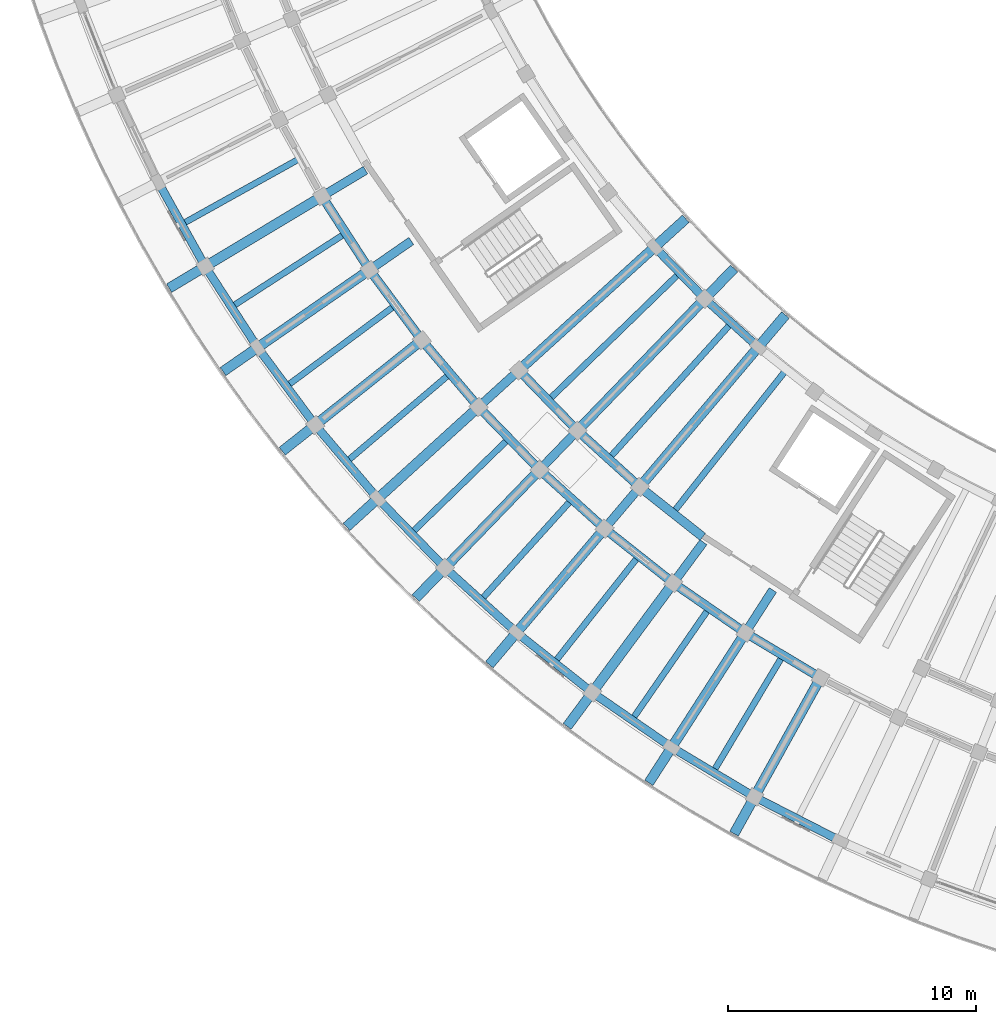
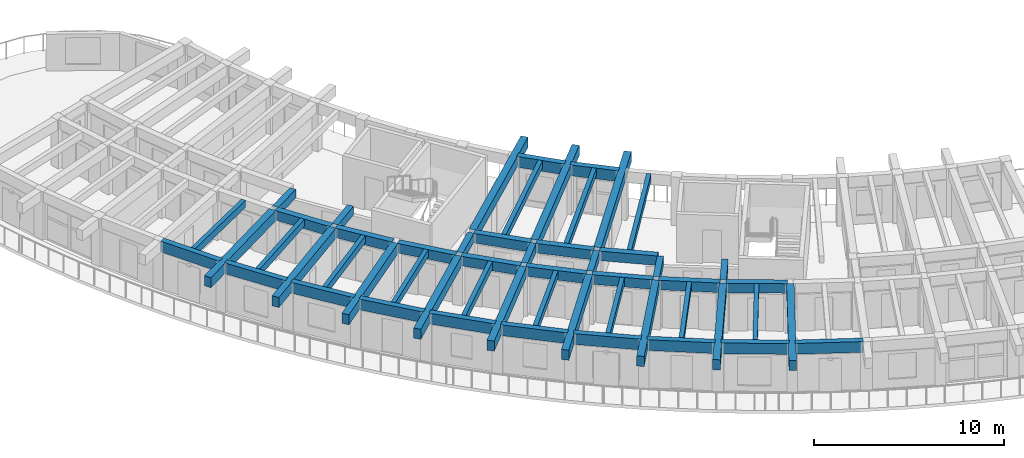
# One storey, part 3 of 81: 54 beams.
"""IFC4 building model written with IfcOpenShell, lengths in metres."""

from ifc_helpers import new_model, si_unit, direction, frame, origin, origin_2d, place, context, subcontext, project, spatial, rectangle, extrude, material, material_profile, profile_set, type_object, element, save


model = new_model("IFC4")

# Units and contexts
model_context = context("Model", 3, precision=1e-05, world=origin(), true_north=direction((0.0, 1.0)))
body_context = subcontext(model_context, "Body", "Model", "MODEL_VIEW")
ifc_project = project(units=[si_unit("LENGTHUNIT", "METRE"), si_unit("AREAUNIT", "SQUARE_METRE"), si_unit("VOLUMEUNIT", "CUBIC_METRE"), si_unit("PLANEANGLEUNIT", "RADIAN"), si_unit("MASSUNIT", "GRAM", prefix="KILO")], contexts=[model_context])

# Site, building, storey
site_placement = place(None, origin())
site = spatial("IfcSite", under=ifc_project, at=site_placement, CompositionType="ELEMENT")
building_placement = place(site_placement, origin())
building = spatial("IfcBuilding", under=site, at=building_placement, Name="Tanwirah Colonnade Gardens", CompositionType="ELEMENT")
storey_placement = place(building_placement, frame((0.0, 0.0, 18.919921875)))
storey = spatial("IfcBuildingStorey", under=building, at=storey_placement, Name="L05", CompositionType="ELEMENT", Elevation=18.919921875)

# Beams
ifc_material_1 = material(Name="Precast concrete C40/50", Category="concrete")
ifc_material_profile_1 = material_profile(ifc_material_1, rectangle(XDim=0.360107421875, YDim=0.610107421875, at=origin_2d()), Name="PC-BM 360x610")
ifc_profile_set_1 = profile_set([ifc_material_profile_1], Name="Precast concrete C40/50")
beam_type_1 = type_object("IfcBeamType", Name="BM-PC300", PredefinedType="BEAM", material=ifc_profile_set_1)
beam_1_placement = place(storey_placement, frame((18.75146484375, 36.5361328125, 2.80517578125), z_axis=(0.542825891173, -0.839845254718, 0.0), x_axis=(0.839845254718, 0.542825891173, 0.0)))
element("IfcBeam", 1, at=beam_1_placement, inside=storey, type_object=beam_type_1, Name="Block C L05 Circumferential Beam 4-R2", PredefinedType="BEAM", context=body_context, shape_type="SweptSolid", body=[
    extrude(rectangle(XDim=0.360107421875, YDim=0.610107421875, at=origin_2d()), origin(), (0.0, 0.0, 1.0), 3.23681640625),
])
beam_2_placement = place(storey_placement, frame((20.679443359375, 33.5712890625, 2.80517578125), z_axis=(0.596579473879, -0.802554005252, 0.0), x_axis=(0.802554005252, 0.596579473879, 0.0)))
element("IfcBeam", 2, at=beam_2_placement, inside=storey, type_object=beam_type_1, Name="Block C L05 Circumferential Beam 5-R2", PredefinedType="BEAM", context=body_context, shape_type="SweptSolid", body=[
    extrude(rectangle(XDim=0.360107421875, YDim=0.610107421875, at=origin_2d()), origin(), (0.0, 0.0, 1.0), 3.237060546875),
])
beam_3_placement = place(storey_placement, frame((22.797119140625, 30.73876953125, 2.80517578125), z_axis=(0.6478235549, -0.761790418499, 0.0), x_axis=(0.761790418499, 0.6478235549, 0.0)))
element("IfcBeam", 3, at=beam_3_placement, inside=storey, type_object=beam_type_1, Name="Block C L05 Circumferential Beam 6-R2", PredefinedType="BEAM", context=body_context, shape_type="SweptSolid", body=[
    extrude(rectangle(XDim=0.360107421875, YDim=0.610107421875, at=origin_2d()), origin(), (0.0, 0.0, 1.0), 3.23681640625),
])
beam_4_placement = place(storey_placement, frame((26.72412109375, 29.530029296875, 2.80517578125), z_axis=(0.696209937932, -0.71783822852, 0.0), x_axis=(0.71783822852, 0.696209937932, 0.0)))
element("IfcBeam", 4, at=beam_4_placement, inside=storey, type_object=beam_type_1, Name="Block C L05 Circumferential Beam 7-R1", PredefinedType="BEAM", context=body_context, shape_type="SweptSolid", body=[
    extrude(rectangle(XDim=0.360107421875, YDim=0.610107421875, at=origin_2d()), origin(), (0.0, 0.0, 1.0), 3.093017578125),
])
beam_5_placement = place(storey_placement, frame((25.095703125, 28.05078125, 2.80517578125), z_axis=(0.696238887656, -0.717810149911, 0.0), x_axis=(0.717810149911, 0.696238887656, 0.0)))
element("IfcBeam", 5, at=beam_5_placement, inside=storey, type_object=beam_type_1, Name="Block C L05 Circumferential Beam 7-R2", PredefinedType="BEAM", context=body_context, shape_type="SweptSolid", body=[
    extrude(rectangle(XDim=0.360107421875, YDim=0.610107421875, at=origin_2d()), origin(), (0.0, 0.0, 1.0), 3.23681640625),
])
beam_6_placement = place(storey_placement, frame((29.09326171875, 27.1015625, 2.80517578125), z_axis=(0.741698455559, -0.670733479873, 0.0), x_axis=(0.670733479873, 0.741698455559, 0.0)))
element("IfcBeam", 6, at=beam_6_placement, inside=storey, type_object=beam_type_1, Name="Block C L05 Circumferential Beam 8-R1", PredefinedType="BEAM", context=body_context, shape_type="SweptSolid", body=[
    extrude(rectangle(XDim=0.360107421875, YDim=0.610107421875, at=origin_2d()), origin(), (0.0, 0.0, 1.0), 3.0927734375),
])
beam_7_placement = place(storey_placement, frame((27.56494140625, 25.51904296875, 2.80517578125), z_axis=(0.741701929733, -0.670729638104, 0.0), x_axis=(0.670729638104, 0.741701929733, 0.0)))
element("IfcBeam", 7, at=beam_7_placement, inside=storey, type_object=beam_type_1, Name="Block C L05 Circumferential Beam 8-R2", PredefinedType="BEAM", context=body_context, shape_type="SweptSolid", body=[
    extrude(rectangle(XDim=0.360107421875, YDim=0.610107421875, at=origin_2d()), origin(), (0.0, 0.0, 1.0), 3.237060546875),
])
beam_8_placement = place(storey_placement, frame((31.615966796875, 24.833251953125, 2.80517578125), z_axis=(0.783962588163, -0.62080807047, 0.0), x_axis=(0.62080807047, 0.783962588163, 0.0)))
element("IfcBeam", 8, at=beam_8_placement, inside=storey, type_object=beam_type_1, Name="Block C L05 Circumferential Beam 9-R1", PredefinedType="BEAM", context=body_context, shape_type="SweptSolid", body=[
    extrude(rectangle(XDim=0.360107421875, YDim=0.610107421875, at=origin_2d()), origin(), (0.0, 0.0, 1.0), 3.093017578125),
])
beam_9_placement = place(storey_placement, frame((30.194580078125, 23.154052734375, 2.80517578125), z_axis=(0.783993819374, -0.620768629349, 0.0), x_axis=(0.620768629349, 0.783993819374, 0.0)))
element("IfcBeam", 9, at=beam_9_placement, inside=storey, type_object=beam_type_1, Name="Block C L05 Circumferential Beam 9-R2", PredefinedType="BEAM", context=body_context, shape_type="SweptSolid", body=[
    extrude(rectangle(XDim=0.360107421875, YDim=0.610107421875, at=origin_2d()), origin(), (0.0, 0.0, 1.0), 3.23681640625),
])
beam_10_placement = place(storey_placement, frame((32.97314453125, 20.96630859375, 2.80517578125), z_axis=(0.822889344221, -0.568201660651, 0.0), x_axis=(0.568201660651, 0.822889344221, 0.0)))
element("IfcBeam", 10, at=beam_10_placement, inside=storey, type_object=beam_type_1, Name="Block C L05 Circumferential Beam 10-R2", PredefinedType="BEAM", context=body_context, shape_type="SweptSolid", body=[
    extrude(rectangle(XDim=0.360107421875, YDim=0.610107421875, at=origin_2d()), origin(), (0.0, 0.0, 1.0), 3.237060546875),
])
beam_11_placement = place(storey_placement, frame((35.88916015625, 18.96484375, 2.80517578125), z_axis=(0.858270604513, -0.513197398111, 0.0), x_axis=(0.513197398111, 0.858270604513, 0.0)))
element("IfcBeam", 11, at=beam_11_placement, inside=storey, type_object=beam_type_1, Name="Block C L05 Circumferential Beam 11-R2", PredefinedType="BEAM", context=body_context, shape_type="SweptSolid", body=[
    extrude(rectangle(XDim=0.360107421875, YDim=0.610107421875, at=origin_2d()), origin(), (0.0, 0.0, 1.0), 3.23681640625),
])
ifc_material_profile_2 = material_profile(ifc_material_1, rectangle(XDim=0.35009765625, YDim=0.550048828125, at=origin_2d()), Name="PC-BM 350x550")
ifc_profile_set_2 = profile_set([ifc_material_profile_2], Name="Precast concrete C40/50")
beam_type_2 = type_object("IfcBeamType", Name="BM-PC350A", PredefinedType="BEAM", material=ifc_profile_set_2)
beam_12_placement = place(storey_placement, frame((20.42724609375, 37.718017578125, 2.8349609375), z_axis=(-0.857186654737, -0.515005863017, 0.0), x_axis=(0.515005863017, -0.857186654737, 0.0)))
element("IfcBeam", 12, at=beam_12_placement, inside=storey, type_object=beam_type_2, Name="Block C L05 Corridor Tie Beam 4", PredefinedType="BEAM", context=body_context, shape_type="SweptSolid", body=[
    extrude(rectangle(XDim=0.35009765625, YDim=0.550048828125, at=origin_2d()), origin(), (0.0, 0.0, 1.0), 1.89990234375),
])
beam_13_placement = place(storey_placement, frame((22.2744140625, 34.860107421875, 2.8349609375), z_axis=(-0.821669163201, -0.569964723684, 0.0), x_axis=(0.569964723684, -0.821669163201, 0.0)))
element("IfcBeam", 13, at=beam_13_placement, inside=storey, type_object=beam_type_2, Name="Block C L05 Corridor Tie Beam 5", PredefinedType="BEAM", context=body_context, shape_type="SweptSolid", body=[
    extrude(rectangle(XDim=0.35009765625, YDim=0.550048828125, at=origin_2d()), origin(), (0.0, 0.0, 1.0), 1.900146484375),
])
beam_14_placement = place(storey_placement, frame((26.508544921875, 29.536865234375, 2.8349609375), z_axis=(-0.740219127015, -0.672365707038, 0.0), x_axis=(0.672365707038, -0.740219127015, 0.0)))
element("IfcBeam", 14, at=beam_14_placement, inside=storey, type_object=beam_type_2, Name="Block C L05 Corridor Tie Beam 7", PredefinedType="BEAM", context=body_context, shape_type="SweptSolid", body=[
    extrude(rectangle(XDim=0.35009765625, YDim=0.550048828125, at=origin_2d()), origin(), (0.0, 0.0, 1.0), 1.899658203125),
])
beam_15_placement = place(storey_placement, frame((28.877685546875, 27.09423828125, 2.8349609375), z_axis=(-0.694663306685, -0.719335033448, 0.0), x_axis=(0.719335033448, -0.694663306685, 0.0)))
element("IfcBeam", 15, at=beam_15_placement, inside=storey, type_object=beam_type_2, Name="Block C L05 Corridor Tie Beam 8", PredefinedType="BEAM", context=body_context, shape_type="SweptSolid", body=[
    extrude(rectangle(XDim=0.35009765625, YDim=0.550048828125, at=origin_2d()), origin(), (0.0, 0.0, 1.0), 1.89990234375),
])
for number, where, z_axis, x_axis, name in (
    (16, (31.401611328125, 24.81201171875, 2.8349609375), (-0.646155325581, -0.763205932382, 0.0), (0.763205932382, -0.646155325581, 0.0), "Block C L05 Corridor Tie Beam 9"),
    (17, (34.0693359375, 22.699462890625, 2.8349609375), (-0.594889497099, -0.803807493273, 0.0), (0.803807493273, -0.594889497099, 0.0), "Block C L05 Corridor Tie Beam 10"),
):
    element("IfcBeam", number, at=place(storey_placement, frame(where, z_axis=z_axis, x_axis=x_axis)), inside=storey, type_object=beam_type_2, Name=name, PredefinedType="BEAM", context=body_context, shape_type="SweptSolid", body=[
        extrude(rectangle(XDim=0.35009765625, YDim=0.550048828125, at=origin_2d()), origin(), (0.0, 0.0, 1.0), 1.900146484375),
    ])
beam_16_placement = place(storey_placement, frame((36.869384765625, 20.765869140625, 2.8349609375), z_axis=(-0.540984881989, -0.841032316537, 0.0), x_axis=(0.841032316537, -0.540984881989, 0.0)))
element("IfcBeam", 18, at=beam_16_placement, inside=storey, type_object=beam_type_2, Name="Block C L05 Corridor Tie Beam 11", PredefinedType="BEAM", context=body_context, shape_type="SweptSolid", body=[
    extrude(rectangle(XDim=0.35009765625, YDim=0.550048828125, at=origin_2d()), origin(), (0.0, 0.0, 1.0), 1.89990234375),
])
ifc_material_2 = material(Name="Precast concrete C45/55", Category="concrete")
ifc_material_profile_3 = material_profile(ifc_material_2, rectangle(XDim=0.39990234375, YDim=0.64990234375, at=origin_2d()), Name="PC-BM 400x650")
ifc_profile_set_3 = profile_set([ifc_material_profile_3], Name="Precast concrete C45/55")
beam_type_3 = type_object("IfcBeamType", Name="BM-PC400", PredefinedType="BEAM", material=ifc_profile_set_3)
for number, where, z_axis, x_axis, name in (
    (19, (18.54150390625, 36.5849609375, 2.78515625), (-0.857159687729, -0.515050744812, 0.0), (0.515050744812, -0.857159687729, 0.0), "Block C L05 Outer Radial Precast Girder 4"),
    (20, (20.466796875, 33.606201171875, 2.78515625), (-0.821647028495, -0.569996632066, 0.0), (0.569996632066, -0.821647028495, 0.0), "Block C L05 Outer Radial Precast Girder 5"),
):
    element("IfcBeam", number, at=place(storey_placement, frame(where, z_axis=z_axis, x_axis=x_axis)), inside=storey, type_object=beam_type_3, Name=name, PredefinedType="BEAM", context=body_context, shape_type="SweptSolid", body=[
        extrude(rectangle(XDim=0.39990234375, YDim=0.64990234375, at=origin_2d()), origin(), (0.0, 0.0, 1.0), 7.050048828125),
    ])
beam_17_placement = place(storey_placement, frame((22.58251953125, 30.759765625, 2.78515625), z_axis=(-0.782609106384, -0.622513442911, 0.0), x_axis=(0.622513442911, -0.782609106384, 0.0)))
element("IfcBeam", 21, at=beam_17_placement, inside=storey, type_object=beam_type_3, Name="Block C L05 Outer Radial Precast Girder 6", PredefinedType="BEAM", context=body_context, shape_type="SweptSolid", body=[
    extrude(rectangle(XDim=0.39990234375, YDim=0.64990234375, at=origin_2d()), origin(), (0.0, 0.0, 1.0), 7.0498046875),
])
beam_18_placement = place(storey_placement, frame((26.730712890625, 29.738525390625, 2.78515625), z_axis=(0.740212791446, 0.672372681911, 0.0), x_axis=(-0.672372681911, 0.740212791446, 0.0)))
element("IfcBeam", 22, at=beam_18_placement, inside=storey, type_object=beam_type_3, Name="Block C L05 Inner Radial Precast Girder 7", PredefinedType="BEAM", context=body_context, shape_type="SweptSolid", body=[
    extrude(rectangle(XDim=0.39990234375, YDim=0.64990234375, at=origin_2d()), origin(), (0.0, 0.0, 1.0), 8.9501953125),
])
beam_19_placement = place(storey_placement, frame((24.880126953125, 28.0576171875, 2.78515625), z_axis=(-0.740229899169, -0.672353847596, 0.0), x_axis=(0.672353847596, -0.740229899169, 0.0)))
element("IfcBeam", 23, at=beam_19_placement, inside=storey, type_object=beam_type_3, Name="Block C L05 Outer Radial Precast Girder 7", PredefinedType="BEAM", context=body_context, shape_type="SweptSolid", body=[
    extrude(rectangle(XDim=0.39990234375, YDim=0.64990234375, at=origin_2d()), origin(), (0.0, 0.0, 1.0), 7.0498046875),
])
beam_20_placement = place(storey_placement, frame((29.086181640625, 27.31005859375, 2.78515625), z_axis=(0.694655848402, 0.719342235852, 0.0), x_axis=(-0.719342235852, 0.694655848402, 0.0)))
element("IfcBeam", 24, at=beam_20_placement, inside=storey, type_object=beam_type_3, Name="Block C L05 Inner Radial Precast Girder 8", PredefinedType="BEAM", context=body_context, shape_type="SweptSolid", body=[
    extrude(rectangle(XDim=0.39990234375, YDim=0.64990234375, at=origin_2d()), origin(), (0.0, 0.0, 1.0), 8.9501953125),
])
beam_21_placement = place(storey_placement, frame((27.349609375, 25.51171875, 2.78515625), z_axis=(-0.69467114255, -0.719327466254, 0.0), x_axis=(0.719327466254, -0.69467114255, 0.0)))
element("IfcBeam", 25, at=beam_21_placement, inside=storey, type_object=beam_type_3, Name="Block C L05 Outer Radial Precast Girder 8", PredefinedType="BEAM", context=body_context, shape_type="SweptSolid", body=[
    extrude(rectangle(XDim=0.39990234375, YDim=0.64990234375, at=origin_2d()), origin(), (0.0, 0.0, 1.0), 7.050048828125),
])
beam_22_placement = place(storey_placement, frame((31.595458984375, 25.040771484375, 2.78515625), z_axis=(0.64611097415, 0.763243479554, 0.0), x_axis=(-0.763243479554, 0.64611097415, 0.0)))
element("IfcBeam", 26, at=beam_22_placement, inside=storey, type_object=beam_type_3, Name="Block C L05 Inner Radial Precast Girder 9", PredefinedType="BEAM", context=body_context, shape_type="SweptSolid", body=[
    extrude(rectangle(XDim=0.39990234375, YDim=0.64990234375, at=origin_2d()), origin(), (0.0, 0.0, 1.0), 8.949951171875),
])
for number, where, z_axis, x_axis, name in (
    (27, (29.97998046875, 23.1328125, 2.78515625), (-0.646119193339, -0.763236521663, 0.0), (0.763236521663, -0.646119193339, 0.0), "Block C L05 Outer Radial Precast Girder 9"),
    (28, (32.760498046875, 20.930908203125, 2.78515625), (-0.594806754627, -0.803868723518, 0.0), (0.803868723518, -0.594806754627, 0.0), "Block C L05 Outer Radial Precast Girder 10"),
    (29, (35.67919921875, 18.915771484375, 2.78515625), (-0.540976349149, -0.841037805132, 0.0), (0.841037805132, -0.540976349149, 0.0), "Block C L05 Outer Radial Precast Girder 11"),
):
    element("IfcBeam", number, at=place(storey_placement, frame(where, z_axis=z_axis, x_axis=x_axis)), inside=storey, type_object=beam_type_3, Name=name, PredefinedType="BEAM", context=body_context, shape_type="SweptSolid", body=[
        extrude(rectangle(XDim=0.39990234375, YDim=0.64990234375, at=origin_2d()), origin(), (0.0, 0.0, 1.0), 7.050048828125),
    ])
beam_23_placement = place(storey_placement, frame((38.723388671875, 17.095703125, 2.78515625), z_axis=(-0.484804753745, -0.874622404667, 0.0), x_axis=(0.874622404667, -0.484804753745, 0.0)))
element("IfcBeam", 30, at=beam_23_placement, inside=storey, type_object=beam_type_3, Name="Block C L05 Outer Radial Precast Girder 12", PredefinedType="BEAM", context=body_context, shape_type="SweptSolid", body=[
    extrude(rectangle(XDim=0.39990234375, YDim=0.64990234375, at=origin_2d()), origin(), (0.0, 0.0, 1.0), 7.05029296875),
])
ifc_material_profile_4 = material_profile(ifc_material_1, rectangle(XDim=0.25, YDim=0.449951171875, at=origin_2d()), Name="PC-JST 250x450")
ifc_profile_set_4 = profile_set([ifc_material_profile_4], Name="Precast concrete C40/50")
beam_type_4 = type_object("IfcBeamType", Name="JST-PC250", PredefinedType="JOIST", material=ifc_profile_set_4)
for number, where, z_axis, x_axis, name in (
    (31, (17.67919921875, 38.134521484375, 2.885009765625), (-0.87356769437, -0.486702664214, 0.0), (0.486702664214, -0.87356769437, 0.0), "Block C L05 Precast Floor Joist 3"),
    (32, (19.5048828125, 35.09619140625, 2.885009765625), (-0.839842770955, -0.542829733963, 0.0), (0.542829733963, -0.839842770955, 0.0), "Block C L05 Precast Floor Joist 4"),
    (33, (21.525390625, 32.18359375, 2.885009765625), (-0.802560347737, -0.596570941499, 0.0), (0.596570941499, -0.802560347737, 0.0), "Block C L05 Precast Floor Joist 5"),
    (34, (23.732177734375, 29.409423828125, 2.885009765625), (-0.761803021124, -0.647808734895, 0.0), (0.647808734895, -0.761803021124, 0.0), "Block C L05 Precast Floor Joist 6"),
    (35, (26.115478515625, 26.785400390625, 2.885009765625), (-0.717816036263, -0.696232818878, 0.0), (0.696232818878, -0.717816036263, 0.0), "Block C L05 Precast Floor Joist 7"),
):
    element("IfcBeam", number, at=place(storey_placement, frame(where, z_axis=z_axis, x_axis=x_axis)), inside=storey, type_object=beam_type_4, Name=name, PredefinedType="JOIST", context=body_context, shape_type="SweptSolid", body=[
        extrude(rectangle(XDim=0.25, YDim=0.449951171875, at=origin_2d()), origin(), (0.0, 0.0, 1.0), 5.260009765625),
    ])
beam_24_placement = place(storey_placement, frame((33.006591796875, 33.46923828125, 2.885009765625), z_axis=(-0.717816218075, -0.69623263143, 0.0), x_axis=(0.69623263143, -0.717816218075, 0.0)))
element("IfcBeam", 36, at=beam_24_placement, inside=storey, type_object=beam_type_4, Name="Block C L05 Inner Precast Floor Joist 7", PredefinedType="JOIST", context=body_context, shape_type="SweptSolid", body=[
    extrude(rectangle(XDim=0.25, YDim=0.449951171875, at=origin_2d()), origin(), (0.0, 0.0, 1.0), 7.16015625),
])
beam_25_placement = place(storey_placement, frame((28.66552734375, 24.322998046875, 2.885009765625), z_axis=(-0.670780841255, -0.741655622918, 0.0), x_axis=(0.741655622918, -0.670780841255, 0.0)))
element("IfcBeam", 37, at=beam_25_placement, inside=storey, type_object=beam_type_4, Name="Block C L05 Precast Floor Joist 8", PredefinedType="JOIST", context=body_context, shape_type="SweptSolid", body=[
    extrude(rectangle(XDim=0.25, YDim=0.449951171875, at=origin_2d()), origin(), (0.0, 0.0, 1.0), 5.260009765625),
])
beam_26_placement = place(storey_placement, frame((35.104736328125, 31.443115234375, 2.885009765625), z_axis=(-0.670773136608, -0.741662591214, 0.0), x_axis=(0.741662591214, -0.670773136608, 0.0)))
element("IfcBeam", 38, at=beam_26_placement, inside=storey, type_object=beam_type_4, Name="Block C L05 Inner Precast Floor Joist 8", PredefinedType="JOIST", context=body_context, shape_type="SweptSolid", body=[
    extrude(rectangle(XDim=0.25, YDim=0.449951171875, at=origin_2d()), origin(), (0.0, 0.0, 1.0), 7.159912109375),
])
beam_27_placement = place(storey_placement, frame((31.370849609375, 22.03271484375, 2.885009765625), z_axis=(-0.620787347885, -0.783978997617, 0.0), x_axis=(0.783978997617, -0.620787347885, 0.0)))
element("IfcBeam", 39, at=beam_27_placement, inside=storey, type_object=beam_type_4, Name="Block C L05 Precast Floor Joist 9", PredefinedType="JOIST", context=body_context, shape_type="SweptSolid", body=[
    extrude(rectangle(XDim=0.25, YDim=0.449951171875, at=origin_2d()), origin(), (0.0, 0.0, 1.0), 5.260009765625),
])
beam_28_placement = place(storey_placement, frame((37.33056640625, 29.55859375, 2.885009765625), z_axis=(-0.620803379809, -0.783966302603, 0.0), x_axis=(0.783966302603, -0.620803379809, 0.0)))
element("IfcBeam", 40, at=beam_28_placement, inside=storey, type_object=beam_type_4, Name="Block C L05 Inner Precast Floor Joist 9", PredefinedType="JOIST", context=body_context, shape_type="SweptSolid", body=[
    extrude(rectangle(XDim=0.25, YDim=0.449951171875, at=origin_2d()), origin(), (0.0, 0.0, 1.0), 7.159912109375),
])
for number, where, z_axis, x_axis, name in (
    (41, (34.220458984375, 19.924072265625, 2.885009765625), (-0.56820792868, -0.822885016138, 0.0), (0.822885016138, -0.56820792868, 0.0), "Block C L05 Precast Floor Joist 10"),
    (42, (37.20166015625, 18.006591796875, 2.885009765625), (-0.513157303227, -0.858294577721, 0.0), (0.858294577721, -0.513157303227, 0.0), "Block C L05 Precast Floor Joist 11"),
):
    element("IfcBeam", number, at=place(storey_placement, frame(where, z_axis=z_axis, x_axis=x_axis)), inside=storey, type_object=beam_type_4, Name=name, PredefinedType="JOIST", context=body_context, shape_type="SweptSolid", body=[
        extrude(rectangle(XDim=0.25, YDim=0.449951171875, at=origin_2d()), origin(), (0.0, 0.0, 1.0), 5.260009765625),
    ])
ifc_material_profile_5 = material_profile(ifc_material_1, rectangle(XDim=0.330078125, YDim=0.68994140625, at=origin_2d()), Name="PC-SP 330x690")
ifc_profile_set_5 = profile_set([ifc_material_profile_5], Name="Precast concrete C40/50")
beam_type_5 = type_object("IfcBeamType", Name="SP-PC280", PredefinedType="SPANDREL", material=ifc_profile_set_5)
beam_29_placement = place(storey_placement, frame((12.132080078125, 37.1025390625, 2.76513671875), z_axis=(0.486679958674, -0.87358034423, 0.0), x_axis=(0.87358034423, 0.486679958674, 0.0)))
element("IfcBeam", 43, at=beam_29_placement, inside=storey, type_object=beam_type_5, Name="Block C L05 Circumferential Beam 3-R3", PredefinedType="SPANDREL", context=body_context, shape_type="SweptSolid", body=[
    extrude(rectangle(XDim=0.330078125, YDim=0.68994140625, at=origin_2d()), origin(), (0.0, 0.0, 1.0), 3.5966796875),
])
for number, where, z_axis, x_axis, name in (
    (44, (14.037109375, 33.70361328125, 2.76513671875), (0.542786838894, -0.839870494495, 0.0), (0.839870494495, 0.542786838894, 0.0), "Block C L05 Circumferential Beam 4-R3"),
    (45, (16.160400390625, 30.436279296875, 2.76513671875), (0.596562665898, -0.802566499212, 0.0), (0.802566499212, 0.596562665898, 0.0), "Block C L05 Circumferential Beam 5-R3"),
):
    element("IfcBeam", number, at=place(storey_placement, frame(where, z_axis=z_axis, x_axis=x_axis)), inside=storey, type_object=beam_type_5, Name=name, PredefinedType="SPANDREL", context=body_context, shape_type="SweptSolid", body=[
        extrude(rectangle(XDim=0.330078125, YDim=0.68994140625, at=origin_2d()), origin(), (0.0, 0.0, 1.0), 3.596923828125),
    ])
beam_30_placement = place(storey_placement, frame((18.492919921875, 27.31494140625, 2.76513671875), z_axis=(0.647784367984, -0.76182374116, 0.0), x_axis=(0.76182374116, 0.647784367984, 0.0)))
element("IfcBeam", 46, at=beam_30_placement, inside=storey, type_object=beam_type_5, Name="Block C L05 Circumferential Beam 6-R3", PredefinedType="SPANDREL", context=body_context, shape_type="SweptSolid", body=[
    extrude(rectangle(XDim=0.330078125, YDim=0.68994140625, at=origin_2d()), origin(), (0.0, 0.0, 1.0), 3.5966796875),
])
beam_31_placement = place(storey_placement, frame((32.20166015625, 34.505615234375, 2.76513671875), z_axis=(0.696262751108, -0.717787002822, 0.0), x_axis=(0.717787002822, 0.696262751108, 0.0)))
element("IfcBeam", 47, at=beam_31_placement, inside=storey, type_object=beam_type_5, Name="Block C L05 Circumferential Beam 7-R0", PredefinedType="SPANDREL", context=body_context, shape_type="SweptSolid", body=[
    extrude(rectangle(XDim=0.330078125, YDim=0.68994140625, at=origin_2d()), origin(), (0.0, 0.0, 1.0), 2.60888671875),
])
beam_32_placement = place(storey_placement, frame((21.0244140625, 24.352783203125, 2.76513671875), z_axis=(0.696231699401, -0.717817122079, 0.0), x_axis=(0.717817122079, 0.696231699401, 0.0)))
element("IfcBeam", 48, at=beam_32_placement, inside=storey, type_object=beam_type_5, Name="Block C L05 Circumferential Beam 7-R3", PredefinedType="SPANDREL", context=body_context, shape_type="SweptSolid", body=[
    extrude(rectangle(XDim=0.330078125, YDim=0.68994140625, at=origin_2d()), origin(), (0.0, 0.0, 1.0), 3.5966796875),
])
beam_33_placement = place(storey_placement, frame((34.233642578125, 32.4248046875, 2.76513671875), z_axis=(0.741686528432, -0.670746668678, 0.0), x_axis=(0.670746668678, 0.741686528432, 0.0)))
element("IfcBeam", 49, at=beam_33_placement, inside=storey, type_object=beam_type_5, Name="Block C L05 Circumferential Beam 8-R0", PredefinedType="SPANDREL", context=body_context, shape_type="SweptSolid", body=[
    extrude(rectangle(XDim=0.330078125, YDim=0.68994140625, at=origin_2d()), origin(), (0.0, 0.0, 1.0), 2.608642578125),
])
for number, where, z_axis, x_axis, name in (
    (50, (23.744384765625, 21.562744140625, 2.76513671875), (0.741682092868, -0.670751573325, 0.0), (0.670751573325, 0.741682092868, 0.0), "Block C L05 Circumferential Beam 8-R3"),
    (51, (26.640869140625, 18.956298828125, 2.76513671875), (0.783971495357, -0.620796822211, 0.0), (0.620796822211, 0.783971495357, 0.0), "Block C L05 Circumferential Beam 9-R3"),
    (52, (29.70166015625, 16.545166015625, 2.76513671875), (0.822907478943, -0.568175396423, 0.0), (0.568175396423, 0.822907478943, 0.0), "Block C L05 Circumferential Beam 10-R3"),
):
    element("IfcBeam", number, at=place(storey_placement, frame(where, z_axis=z_axis, x_axis=x_axis)), inside=storey, type_object=beam_type_5, Name=name, PredefinedType="SPANDREL", context=body_context, shape_type="SweptSolid", body=[
        extrude(rectangle(XDim=0.330078125, YDim=0.68994140625, at=origin_2d()), origin(), (0.0, 0.0, 1.0), 3.596923828125),
    ])
for number, where, z_axis, x_axis, name in (
    (53, (32.913818359375, 14.339111328125, 2.76513671875), (0.858282522832, -0.513177465407, 0.0), (0.513177465407, 0.858282522832, 0.0), "Block C L05 Circumferential Beam 11-R3"),
    (54, (36.26318359375, 12.347900390625, 2.76513671875), (0.890013134589, -0.455934885985, 0.0), (0.455934885985, 0.890013134589, 0.0), "Block C L05 Circumferential Beam 12-R3"),
):
    element("IfcBeam", number, at=place(storey_placement, frame(where, z_axis=z_axis, x_axis=x_axis)), inside=storey, type_object=beam_type_5, Name=name, PredefinedType="SPANDREL", context=body_context, shape_type="SweptSolid", body=[
        extrude(rectangle(XDim=0.330078125, YDim=0.68994140625, at=origin_2d()), origin(), (0.0, 0.0, 1.0), 3.5966796875),
    ])

save(model, "model.ifc")
